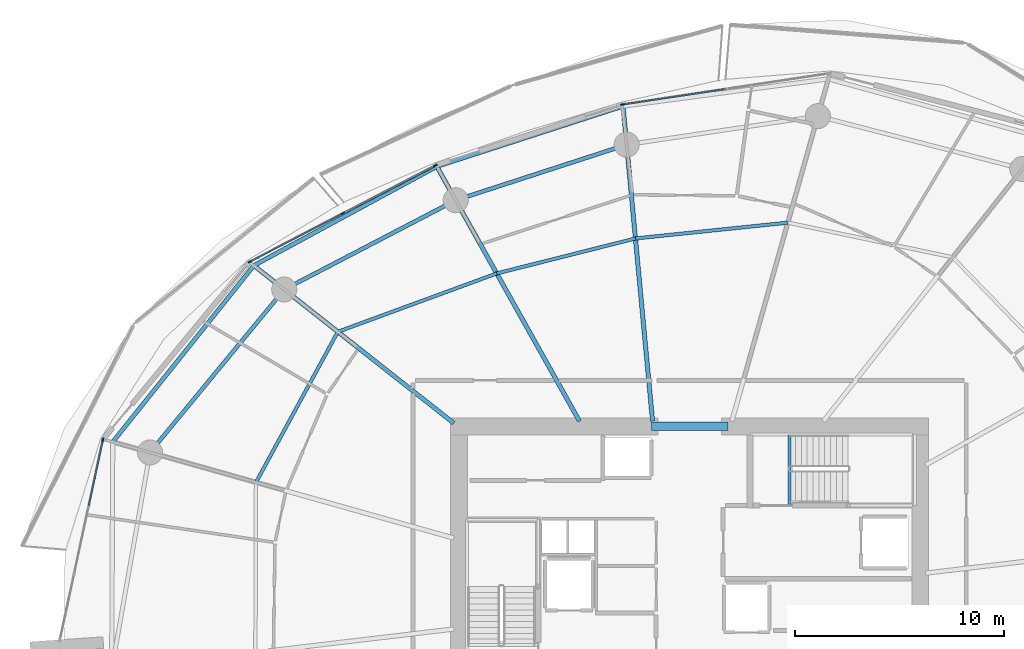
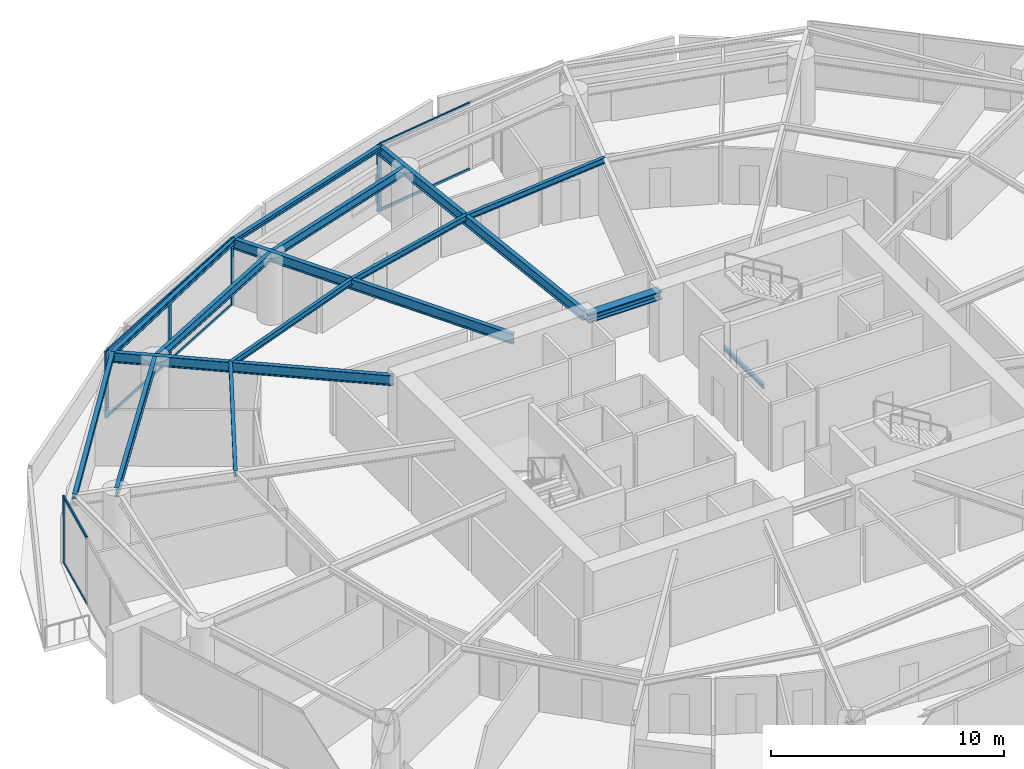
# One storey, part 8 of 22: 15 beams, 13 members, 3 elements without a shape of their own.
"""IFC4 building model written with IfcOpenShell, lengths in metres."""

from ifc_helpers import new_model, si_unit, direction, frame, origin, origin_2d, place, context, subcontext, project, spatial, rectangle, i_section, extrude, material, layer, layer_set, material_profile, profile_set, type_object, element, aggregate, save


model = new_model("IFC4")

# Units and contexts
model_context = context("Model", 3, precision=1e-05, world=origin(), true_north=direction((0.0, 1.0)))
body_context = subcontext(model_context, "Body", "Model", "MODEL_VIEW")
ifc_project = project(units=[si_unit("LENGTHUNIT", "METRE"), si_unit("AREAUNIT", "SQUARE_METRE"), si_unit("VOLUMEUNIT", "CUBIC_METRE"), si_unit("PLANEANGLEUNIT", "RADIAN"), si_unit("MASSUNIT", "GRAM", prefix="KILO")], contexts=[model_context])

# Site, building, storey
site_placement = place(None, origin())
site = spatial("IfcSite", under=ifc_project, at=site_placement, CompositionType="ELEMENT")
building_placement = place(site_placement, origin())
building = spatial("IfcBuilding", under=site, at=building_placement, Name="Kazma Halo Residences", CompositionType="ELEMENT")
storey_placement = place(building_placement, frame((0.0, 0.0, 93.89990234375)))
storey = spatial("IfcBuildingStorey", under=building, at=storey_placement, Name="L23", CompositionType="ELEMENT", Elevation=93.89990234375)

# Beams
ifc_material_1 = material(Name="Steel S355", Category="steel")
ifc_material_profile_1 = material_profile(ifc_material_1, i_section(OverallWidth=0.201904296875, OverallDepth=0.2470703125, WebThickness=0.00732421875, FlangeThickness=0.010986328125, FilletRadius=0.011962890625, at=origin_2d()), Name="W250x49.1")
ifc_profile_set_1 = profile_set([ifc_material_profile_1], Name="Steel S355")
beam_type_1 = type_object("IfcBeamType", Name="BM-BAL-CANT", PredefinedType="BEAM", material=ifc_profile_set_1)
beam_1_placement = place(storey_placement, frame((45.239013671875, 65.7109375, 3.376708984375), z_axis=(-0.951364037255, -0.308068934846, 0.0), x_axis=(0.308068934846, -0.951364037255, 0.0)))
element("IfcBeam", 1, at=beam_1_placement, inside=storey, type_object=beam_type_1, Name="L23 wave-balcony tie beam 04", PredefinedType="BEAM", context=body_context, shape_type="SweptSolid", body=[
    extrude(i_section(OverallWidth=0.201904296875, OverallDepth=0.2470703125, WebThickness=0.00732421875, FlangeThickness=0.010986328125, FilletRadius=0.011962890625, at=origin_2d()), origin(), (0.0, 0.0, 1.0), 9.3583984375),
])
beam_2_placement = place(storey_placement, frame((36.335693359375, 62.827880859375, 3.376708984375), z_axis=(-0.87930438671, -0.476260218276, 0.0), x_axis=(0.476260218276, -0.87930438671, 0.0)))
element("IfcBeam", 2, at=beam_2_placement, inside=storey, type_object=beam_type_1, Name="L23 wave-balcony tie beam 05", PredefinedType="BEAM", context=body_context, shape_type="SweptSolid", body=[
    extrude(i_section(OverallWidth=0.201904296875, OverallDepth=0.2470703125, WebThickness=0.00732421875, FlangeThickness=0.010986328125, FilletRadius=0.011962890625, at=origin_2d()), origin(), (0.0, 0.0, 1.0), 9.94677734375),
])
beam_3_placement = place(storey_placement, frame((27.58935546875, 58.090576171875, 3.376708984375), z_axis=(-0.62477775999, -0.78080263231, 0.0), x_axis=(0.78080263231, -0.62477775999, 0.0)))
element("IfcBeam", 3, at=beam_3_placement, inside=storey, type_object=beam_type_1, Name="L23 wave-balcony tie beam 06", PredefinedType="BEAM", context=body_context, shape_type="SweptSolid", body=[
    extrude(i_section(OverallWidth=0.201904296875, OverallDepth=0.2470703125, WebThickness=0.00732421875, FlangeThickness=0.010986328125, FilletRadius=0.011962890625, at=origin_2d()), origin(), (0.0, 0.0, 1.0), 10.79833984375),
])
ifc_material_profile_2 = material_profile(ifc_material_1, i_section(OverallWidth=0.408935546875, OverallDepth=0.425048828125, WebThickness=0.03271484375, FlangeThickness=0.052490234375, FilletRadius=0.02001953125, at=origin_2d()), Name="W360x421")
ifc_profile_set_2 = profile_set([ifc_material_profile_2], Name="Steel S355")
beam_type_2 = type_object("IfcBeamType", Name="BM-CORE-W360H", PredefinedType="BEAM", material=ifc_profile_set_2)
beam_4_placement = place(storey_placement, frame((46.60009765625, 50.39990234375, 3.28759765625), z_axis=(1.0, 0.0, 0.0), x_axis=(0.0, 1.0, 0.0)))
element("IfcBeam", 4, at=beam_4_placement, inside=storey, type_object=beam_type_2, Name="L23 core coupling beam N", PredefinedType="BEAM", context=body_context, shape_type="SweptSolid", body=[
    extrude(i_section(OverallWidth=0.408935546875, OverallDepth=0.425048828125, WebThickness=0.03271484375, FlangeThickness=0.052490234375, FilletRadius=0.02001953125, at=origin_2d()), origin(), (0.0, 0.0, 1.0), 3.64990234375),
])
ifc_material_profile_3 = material_profile(ifc_material_1, i_section(OverallWidth=0.208984375, OverallDepth=0.532958984375, WebThickness=0.01025390625, FlangeThickness=0.015625, FilletRadius=0.01611328125, at=origin_2d()), Name="W530x92")
ifc_profile_set_3 = profile_set([ifc_material_profile_3], Name="Steel S355")
beam_type_3 = type_object("IfcBeamType", Name="BM-RAD-W530", PredefinedType="BEAM", material=ifc_profile_set_3)
beam_5_placement = place(storey_placement, frame((46.64990234375, 50.64990234375, 3.233642578125), z_axis=(-0.093269713752, 0.995640879282, 0.0), x_axis=(-0.995640879282, -0.093269713752, 0.0)))
element("IfcBeam", 5, at=beam_5_placement, inside=storey, type_object=beam_type_3, Name="L23 radial floor beam 04", PredefinedType="BEAM", context=body_context, shape_type="SweptSolid", body=[
    extrude(i_section(OverallWidth=0.208984375, OverallDepth=0.532958984375, WebThickness=0.01025390625, FlangeThickness=0.015625, FilletRadius=0.01611328125, at=origin_2d()), origin(), (0.0, 0.0, 1.0), 15.126953125),
])
beam_6_placement = place(storey_placement, frame((43.15576171875, 50.64990234375, 3.233642578125), z_axis=(-0.488625206529, 0.872493786536, 0.0), x_axis=(-0.872493786536, -0.488625206529, 0.0)))
element("IfcBeam", 6, at=beam_6_placement, inside=storey, type_object=beam_type_3, Name="L23 radial floor beam 05", PredefinedType="BEAM", context=body_context, shape_type="SweptSolid", body=[
    extrude(i_section(OverallWidth=0.208984375, OverallDepth=0.532958984375, WebThickness=0.01025390625, FlangeThickness=0.015625, FilletRadius=0.01611328125, at=origin_2d()), origin(), (0.0, 0.0, 1.0), 13.957763671875),
])
beam_7_placement = place(storey_placement, frame((37.14990234375, 50.553466796875, 3.233642578125), z_axis=(-0.785309664997, 0.619103165929, 0.0), x_axis=(-0.619103165929, -0.785309664997, 0.0)))
element("IfcBeam", 7, at=beam_7_placement, inside=storey, type_object=beam_type_3, Name="L23 radial floor beam 06", PredefinedType="BEAM", context=body_context, shape_type="SweptSolid", body=[
    extrude(i_section(OverallWidth=0.208984375, OverallDepth=0.532958984375, WebThickness=0.01025390625, FlangeThickness=0.015625, FilletRadius=0.01611328125, at=origin_2d()), origin(), (0.0, 0.0, 1.0), 12.17431640625),
])
ifc_material_profile_4 = material_profile(ifc_material_1, i_section(OverallWidth=0.1650390625, OverallDepth=0.31005859375, WebThickness=0.005859375, FlangeThickness=0.009765625, FilletRadius=0.011962890625, at=origin_2d()), Name="W310x38.7")
ifc_profile_set_4 = profile_set([ifc_material_profile_4], Name="Steel S355")
beam_type_4 = type_object("IfcBeamType", Name="BM-SEC-W310B", PredefinedType="JOIST", material=ifc_profile_set_4)
beam_8_placement = place(storey_placement, frame((53.116455078125, 60.1416015625, 3.34521484375), z_axis=(-0.994656912508, -0.103235780624, 0.0), x_axis=(0.103235780624, -0.994656912508, 0.0)))
element("IfcBeam", 8, at=beam_8_placement, inside=storey, type_object=beam_type_4, Name="L23 circumferential floor joist 03", PredefinedType="JOIST", context=body_context, shape_type="SweptSolid", body=[
    extrude(i_section(OverallWidth=0.1650390625, OverallDepth=0.31005859375, WebThickness=0.005859375, FlangeThickness=0.009765625, FilletRadius=0.011962890625, at=origin_2d()), origin(), (0.0, 0.0, 1.0), 7.323974609375),
])
beam_9_placement = place(storey_placement, frame((45.83154296875, 59.385498046875, 3.34521484375), z_axis=(-0.969640662449, -0.244534221993, 0.0), x_axis=(0.244534221993, -0.969640662449, 0.0)))
element("IfcBeam", 9, at=beam_9_placement, inside=storey, type_object=beam_type_4, Name="L23 circumferential floor joist 04", PredefinedType="JOIST", context=body_context, shape_type="SweptSolid", body=[
    extrude(i_section(OverallWidth=0.1650390625, OverallDepth=0.31005859375, WebThickness=0.005859375, FlangeThickness=0.009765625, FilletRadius=0.011962890625, at=origin_2d()), origin(), (0.0, 0.0, 1.0), 6.8388671875),
])
beam_10_placement = place(storey_placement, frame((39.2001953125, 57.713134765625, 3.34521484375), z_axis=(-0.93875304644, -0.344590652513, 0.0), x_axis=(0.344590652513, -0.93875304644, 0.0)))
element("IfcBeam", 10, at=beam_10_placement, inside=storey, type_object=beam_type_4, Name="L23 circumferential floor joist 05", PredefinedType="JOIST", context=body_context, shape_type="SweptSolid", body=[
    extrude(i_section(OverallWidth=0.1650390625, OverallDepth=0.31005859375, WebThickness=0.005859375, FlangeThickness=0.009765625, FilletRadius=0.011962890625, at=origin_2d()), origin(), (0.0, 0.0, 1.0), 8.091064453125),
])
beam_11_placement = place(storey_placement, frame((31.604736328125, 54.925048828125, 3.34521484375), z_axis=(-0.477621844446, -0.878565520441, 0.0), x_axis=(0.878565520441, -0.477621844446, 0.0)))
element("IfcBeam", 11, at=beam_11_placement, inside=storey, type_object=beam_type_4, Name="L23 circumferential floor joist 06", PredefinedType="JOIST", context=body_context, shape_type="SweptSolid", body=[
    extrude(i_section(OverallWidth=0.1650390625, OverallDepth=0.31005859375, WebThickness=0.005859375, FlangeThickness=0.009765625, FilletRadius=0.011962890625, at=origin_2d()), origin(), (0.0, 0.0, 1.0), 8.1923828125),
])
ifc_material_profile_5 = material_profile(ifc_material_1, i_section(OverallWidth=0.18994140625, OverallDepth=0.45703125, WebThickness=0.009033203125, FlangeThickness=0.014404296875, FilletRadius=0.01611328125, at=origin_2d()), Name="W460x74")
ifc_profile_set_5 = profile_set([ifc_material_profile_5], Name="Steel S355")
beam_type_5 = type_object("IfcBeamType", Name="BM-SPN-W460", PredefinedType="BEAM", material=ifc_profile_set_5)
beam_12_placement = place(storey_placement, frame((45.41162109375, 63.869140625, 3.271484375), z_axis=(-0.951054111927, -0.30902439416, 0.0), x_axis=(0.30902439416, -0.951054111927, 0.0)))
element("IfcBeam", 12, at=beam_12_placement, inside=storey, type_object=beam_type_5, Name="L23 perimeter ring beam 04", PredefinedType="BEAM", context=body_context, shape_type="SweptSolid", body=[
    extrude(i_section(OverallWidth=0.18994140625, OverallDepth=0.45703125, WebThickness=0.009033203125, FlangeThickness=0.014404296875, FilletRadius=0.01611328125, at=origin_2d()), origin(), (0.0, 0.0, 1.0), 8.592529296875),
])
beam_13_placement = place(storey_placement, frame((37.23974609375, 61.2138671875, 3.271484375), z_axis=(-0.886963229644, -0.461840047266, 0.0), x_axis=(0.461840047266, -0.886963229644, 0.0)))
element("IfcBeam", 13, at=beam_13_placement, inside=storey, type_object=beam_type_5, Name="L23 perimeter ring beam 05", PredefinedType="BEAM", context=body_context, shape_type="SweptSolid", body=[
    extrude(i_section(OverallWidth=0.18994140625, OverallDepth=0.45703125, WebThickness=0.009033203125, FlangeThickness=0.014404296875, FilletRadius=0.01611328125, at=origin_2d()), origin(), (0.0, 0.0, 1.0), 9.242431640625),
])
beam_14_placement = place(storey_placement, frame((29.0419921875, 56.9453125, 3.271484375), z_axis=(-0.635989564566, -0.771697656963, 0.0), x_axis=(0.771697656963, -0.635989564566, 0.0)))
element("IfcBeam", 14, at=beam_14_placement, inside=storey, type_object=beam_type_5, Name="L23 perimeter ring beam 06", PredefinedType="BEAM", context=body_context, shape_type="SweptSolid", body=[
    extrude(i_section(OverallWidth=0.18994140625, OverallDepth=0.45703125, WebThickness=0.009033203125, FlangeThickness=0.014404296875, FilletRadius=0.01611328125, at=origin_2d()), origin(), (0.0, 0.0, 1.0), 10.092529296875),
])
ifc_material_profile_6 = material_profile(ifc_material_1, i_section(OverallWidth=0.133056640625, OverallDepth=0.20703125, WebThickness=0.005859375, FlangeThickness=0.00830078125, FilletRadius=0.010009765625, at=origin_2d()), Name="W200x26.6")
ifc_profile_set_6 = profile_set([ifc_material_profile_6], Name="Steel S355")
beam_type_6 = type_object("IfcBeamType", Name="BM-TRIM-W200", PredefinedType="BEAM", material=ifc_profile_set_6)
beam_15_placement = place(storey_placement, frame((53.199951171875, 46.6201171875, -0.35986328125), z_axis=(0.0, 1.0, 0.0), x_axis=(-1.0, 0.0, 0.0)))
element("IfcBeam", 15, at=beam_15_placement, inside=storey, type_object=beam_type_6, Name="L23 ST-02 floor landing support beam", PredefinedType="BEAM", context=body_context, shape_type="SweptSolid", body=[
    extrude(i_section(OverallWidth=0.133056640625, OverallDepth=0.20703125, WebThickness=0.005859375, FlangeThickness=0.00830078125, FilletRadius=0.010009765625, at=origin_2d()), origin(), (0.0, 0.0, 1.0), 3.3798828125),
])

# Curtain wall, member
ifc_material_2 = material(Name="Aluminium AW-6063 T6 and Triple-Silver Low-E Glass", Category="aluminium")
ifc_layer = layer(ifc_material_2, 0.199951171875)
ifc_layer_set = layer_set([ifc_layer], Name="Aluminium AW-6063 T6 and Triple-Silver Low-E Glass")
curtain_wall_type = type_object("IfcCurtainWallType", Name="CW-SYS-3", PredefinedType="NOTDEFINED", material=ifc_layer_set)
curtain_wall_1_placement = place(storey_placement, origin())
curtain_wall_1 = element("IfcCurtainWall", 16, at=curtain_wall_1_placement, inside=storey, type_object=curtain_wall_type, Name="L23 unitised curtain wall B03", PredefinedType="NOTDEFINED")
ifc_material_3 = material(Name="Aluminium AW-6063 T6", Category="aluminium")
ifc_material_profile_7 = material_profile(ifc_material_3, rectangle(XDim=0.070068359375, YDim=0.199951171875, at=origin_2d()), Name="CWM-70x200")
ifc_profile_set_7 = profile_set([ifc_material_profile_7], Name="Aluminium AW-6063 T6")
member_type_1 = type_object("IfcMemberType", Name="CW-SYS-3-MUL", PredefinedType="MULLION", material=ifc_profile_set_7)
member_1_placement = place(storey_placement, frame((45.219970703125, 65.78662109375, 0.0), z_axis=(0.0, 0.0, 1.0), x_axis=(0.148717330409, -0.988879747814, 0.0)))
member_1 = element("IfcMember", 17, at=member_1_placement, type_object=member_type_1, Name="CWS-3 mullion 3", PredefinedType="MULLION", context=body_context, shape_type="SweptSolid", body=[
    extrude(rectangle(XDim=0.070068359375, YDim=0.199951171875, at=origin_2d()), origin(), (0.0, 0.0, 1.0), 3.5),
])

# Curtain wall, members
curtain_wall_2_placement = place(storey_placement, origin())
curtain_wall_2 = element("IfcCurtainWall", 18, at=curtain_wall_2_placement, inside=storey, type_object=curtain_wall_type, Name="L23 unitised curtain wall B05", PredefinedType="NOTDEFINED")
member_2_placement = place(storey_placement, frame((36.267822265625, 62.8779296875, 0.0), z_axis=(0.0, 0.0, 1.0), x_axis=(0.460932159481, -0.887435374749, 0.0)))
member_2 = element("IfcMember", 19, at=member_2_placement, type_object=member_type_1, Name="CWS-3 mullion 1", PredefinedType="MULLION", context=body_context, shape_type="SweptSolid", body=[
    extrude(rectangle(XDim=0.070068359375, YDim=0.199951171875, at=origin_2d()), origin(), (0.0, 0.0, 1.0), 3.5),
])
member_3_placement = place(storey_placement, frame((31.8369140625, 60.57666015625, 0.0), z_axis=(0.0, 0.0, 1.0), x_axis=(0.460932159481, -0.887435374749, 0.0)))
member_3 = element("IfcMember", 20, at=member_3_placement, type_object=member_type_1, Name="CWS-3 mullion 2", PredefinedType="MULLION", context=body_context, shape_type="SweptSolid", body=[
    extrude(rectangle(XDim=0.070068359375, YDim=0.199951171875, at=origin_2d()), origin(), (0.0, 0.0, 1.0), 3.5),
])
member_4_placement = place(storey_placement, frame((27.40625, 58.275390625, 0.0), z_axis=(0.0, 0.0, 1.0), x_axis=(0.460932159481, -0.887435374749, 0.0)))
member_4 = element("IfcMember", 21, at=member_4_placement, type_object=member_type_1, Name="CWS-3 mullion 3", PredefinedType="MULLION", context=body_context, shape_type="SweptSolid", body=[
    extrude(rectangle(XDim=0.070068359375, YDim=0.199951171875, at=origin_2d()), origin(), (0.0, 0.0, 1.0), 3.5),
])

# Curtain wall, member
curtain_wall_3_placement = place(storey_placement, origin())
curtain_wall_3 = element("IfcCurtainWall", 22, at=curtain_wall_3_placement, inside=storey, type_object=curtain_wall_type, Name="L23 unitised curtain wall B07", PredefinedType="NOTDEFINED")
member_5_placement = place(storey_placement, frame((20.3740234375, 49.755126953125, 0.0), z_axis=(0.0, 0.0, 1.0), x_axis=(0.977774176093, -0.209660822677, 0.0)))
member_5 = element("IfcMember", 23, at=member_5_placement, type_object=member_type_1, Name="CWS-3 mullion 1", PredefinedType="MULLION", context=body_context, shape_type="SweptSolid", body=[
    extrude(rectangle(XDim=0.070068359375, YDim=0.199951171875, at=origin_2d()), origin(), (0.0, 0.0, 1.0), 3.5),
])

# Member
ifc_material_profile_8 = material_profile(ifc_material_3, rectangle(XDim=0.070068359375, YDim=0.14990234375, at=origin_2d()), Name="CWT-70x150")
ifc_profile_set_8 = profile_set([ifc_material_profile_8], Name="Aluminium AW-6063 T6")
member_type_2 = type_object("IfcMemberType", Name="CW-SYS-3-TRN", PredefinedType="USERDEFINED", material=ifc_profile_set_8)
member_6_placement = place(storey_placement, frame((50.12255859375, 66.52392578125, 0.03515625), z_axis=(-0.988884271372, -0.148687248386, 0.0), x_axis=(0.148687248386, -0.988884271372, 0.0)))
member_6 = element("IfcMember", 24, at=member_6_placement, type_object=member_type_2, Name="CWS-3 transom 2.1", ObjectType="TRANSOM", PredefinedType="USERDEFINED", context=body_context, shape_type="SweptSolid", body=[
    extrude(rectangle(XDim=0.070068359375, YDim=0.14990234375, at=origin_2d()), origin(), (0.0, 0.0, 1.0), 4.922607421875),
])

member_7_placement = place(storey_placement, frame((50.12255859375, 66.52392578125, 3.465087890625), z_axis=(-0.988884271372, -0.148687248386, 0.0), x_axis=(0.148687248386, -0.988884271372, 0.0)))
member_7 = element("IfcMember", 25, at=member_7_placement, type_object=member_type_2, Name="CWS-3 transom 2.2", ObjectType="TRANSOM", PredefinedType="USERDEFINED", context=body_context, shape_type="SweptSolid", body=[
    extrude(rectangle(XDim=0.070068359375, YDim=0.14990234375, at=origin_2d()), origin(), (0.0, 0.0, 1.0), 4.922607421875),
])

aggregate(curtain_wall_1, [member_1, member_6, member_7])

member_8_placement = place(storey_placement, frame((36.236572265625, 62.86181640625, 0.03515625), z_axis=(-0.887427024944, -0.460948235054, 0.0), x_axis=(0.460948235054, -0.887427024944, 0.0)))
member_8 = element("IfcMember", 26, at=member_8_placement, type_object=member_type_2, Name="CWS-3 transom 1.1", ObjectType="TRANSOM", PredefinedType="USERDEFINED", context=body_context, shape_type="SweptSolid", body=[
    extrude(rectangle(XDim=0.070068359375, YDim=0.14990234375, at=origin_2d()), origin(), (0.0, 0.0, 1.0), 4.922607421875),
])

member_9_placement = place(storey_placement, frame((36.236572265625, 62.86181640625, 3.465087890625), z_axis=(-0.887427024944, -0.460948235054, 0.0), x_axis=(0.460948235054, -0.887427024944, 0.0)))
member_9 = element("IfcMember", 27, at=member_9_placement, type_object=member_type_2, Name="CWS-3 transom 1.2", ObjectType="TRANSOM", PredefinedType="USERDEFINED", context=body_context, shape_type="SweptSolid", body=[
    extrude(rectangle(XDim=0.070068359375, YDim=0.14990234375, at=origin_2d()), origin(), (0.0, 0.0, 1.0), 4.922607421875),
])

member_10_placement = place(storey_placement, frame((31.805908203125, 60.560546875, 0.03515625), z_axis=(-0.887437562141, -0.460927948058, 0.0), x_axis=(0.460927948058, -0.887437562141, 0.0)))
member_10 = element("IfcMember", 28, at=member_10_placement, type_object=member_type_2, Name="CWS-3 transom 2.1", ObjectType="TRANSOM", PredefinedType="USERDEFINED", context=body_context, shape_type="SweptSolid", body=[
    extrude(rectangle(XDim=0.070068359375, YDim=0.14990234375, at=origin_2d()), origin(), (0.0, 0.0, 1.0), 4.9228515625),
])

member_11_placement = place(storey_placement, frame((31.805908203125, 60.560546875, 3.465087890625), z_axis=(-0.887437562141, -0.460927948058, 0.0), x_axis=(0.460927948058, -0.887437562141, 0.0)))
member_11 = element("IfcMember", 29, at=member_11_placement, type_object=member_type_2, Name="CWS-3 transom 2.2", ObjectType="TRANSOM", PredefinedType="USERDEFINED", context=body_context, shape_type="SweptSolid", body=[
    extrude(rectangle(XDim=0.070068359375, YDim=0.14990234375, at=origin_2d()), origin(), (0.0, 0.0, 1.0), 4.9228515625),
])

aggregate(curtain_wall_2, [member_2, member_3, member_4, member_8, member_9, member_10, member_11])

member_12_placement = place(storey_placement, frame((20.36669921875, 49.720947265625, 0.03515625), z_axis=(-0.209702197956, -0.977765303216, 0.0), x_axis=(0.977765303216, -0.209702197956, 0.0)))
member_12 = element("IfcMember", 30, at=member_12_placement, type_object=member_type_2, Name="CWS-3 transom 1.1", ObjectType="TRANSOM", PredefinedType="USERDEFINED", context=body_context, shape_type="SweptSolid", body=[
    extrude(rectangle(XDim=0.070068359375, YDim=0.14990234375, at=origin_2d()), origin(), (0.0, 0.0, 1.0), 3.17822265625),
])

member_13_placement = place(storey_placement, frame((20.36669921875, 49.720947265625, 3.465087890625), z_axis=(-0.209702197956, -0.977765303216, 0.0), x_axis=(0.977765303216, -0.209702197956, 0.0)))
member_13 = element("IfcMember", 31, at=member_13_placement, type_object=member_type_2, Name="CWS-3 transom 1.2", ObjectType="TRANSOM", PredefinedType="USERDEFINED", context=body_context, shape_type="SweptSolid", body=[
    extrude(rectangle(XDim=0.070068359375, YDim=0.14990234375, at=origin_2d()), origin(), (0.0, 0.0, 1.0), 3.17822265625),
])

aggregate(curtain_wall_3, [member_5, member_12, member_13])

save(model, "model.ifc")
